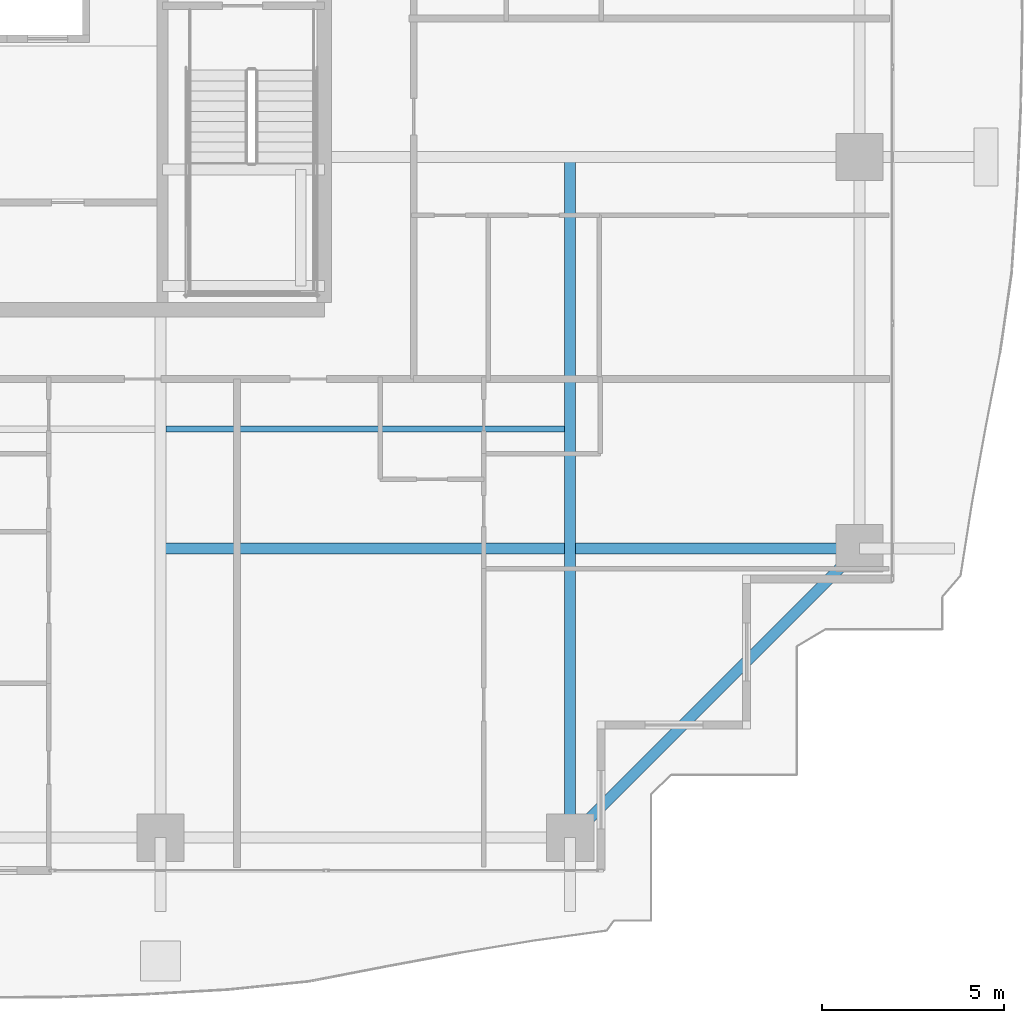
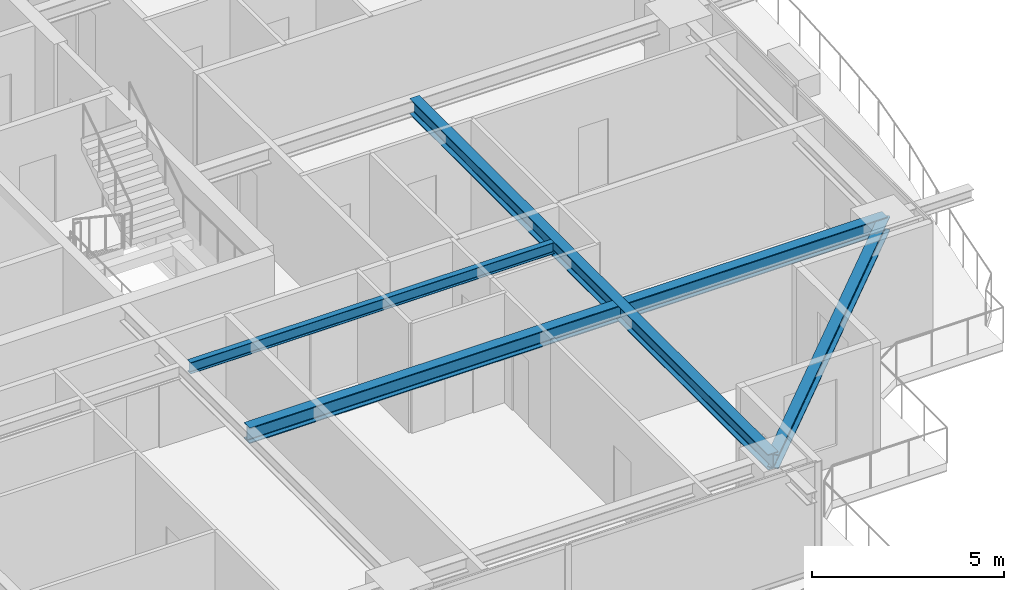
# One storey, part 12 of 36: 4 beams.
"""IFC4 building model written with IfcOpenShell, lengths in metres."""

from ifc_helpers import new_model, si_unit, direction, frame, origin, origin_2d, place, context, subcontext, project, spatial, i_section, extrude, source, transform, mapped, material, material_profile, profile_set, type_object, element, save


model = new_model("IFC4")

# Units and contexts
model_context = context("Model", 3, precision=1e-05, world=origin(), true_north=direction((0.0, 1.0)))
body_context = subcontext(model_context, "Body", "Model", "MODEL_VIEW")
ifc_project = project(units=[si_unit("LENGTHUNIT", "METRE"), si_unit("AREAUNIT", "SQUARE_METRE"), si_unit("VOLUMEUNIT", "CUBIC_METRE"), si_unit("PLANEANGLEUNIT", "RADIAN"), si_unit("MASSUNIT", "GRAM", prefix="KILO")], contexts=[model_context])

# Site, building, storey
site_placement = place(None, origin())
site = spatial("IfcSite", under=ifc_project, at=site_placement, CompositionType="ELEMENT")
building_placement = place(site_placement, origin())
building = spatial("IfcBuilding", under=site, at=building_placement, Name="Serunith Strait Residences", CompositionType="ELEMENT")
storey_placement = place(building_placement, frame((0.0, 0.0, 131.39990234375)))
storey = spatial("IfcBuildingStorey", under=building, at=storey_placement, Name="L32", CompositionType="ELEMENT", Elevation=131.39990234375)

# Beams
ifc_material = material(Name="Steel S355J2", Category="steel")
ifc_material_profile_1 = material_profile(ifc_material, i_section(OverallWidth=0.300048828125, OverallDepth=0.5, WebThickness=0.014404296875, FlangeThickness=0.028076171875, FilletRadius=0.027099609375, at=origin_2d()), Name="HEB 500")
ifc_profile_set_1 = profile_set([ifc_material_profile_1], Name="Steel S355J2")
beam_type_1 = type_object("IfcBeamType", Name="BM-HEB500", PredefinedType="BEAM", material=ifc_profile_set_1)
shared_shape_1 = source(origin(), body_context, "Body", "SweptSolid", [
    extrude(i_section(OverallWidth=0.300048828125, OverallDepth=0.5, WebThickness=0.014404296875, FlangeThickness=0.028076171875, FilletRadius=0.027099609375, at=origin_2d()), origin(), (0.0, 0.0, 1.0), 18.699951171875),
])
beam_1_placement = place(storey_placement, frame((48.14990234375, 21.0, 3.237060546875), z_axis=(0.0, -1.0, 0.0), x_axis=(1.0, 0.0, 0.0)))
element("IfcBeam", 1, at=beam_1_placement, inside=storey, type_object=beam_type_1, Name="L32 Orthogonal Corner Girder TC-S4", PredefinedType="BEAM", context=body_context, shape_type="MappedRepresentation", body=[
    mapped(shared_shape_1, transform((0.0, 0.0, 0.0), scale=1.0)),
])
shared_shape_2 = source(origin(), body_context, "Body", "SweptSolid", [
    extrude(i_section(OverallWidth=0.300048828125, OverallDepth=0.5, WebThickness=0.014404296875, FlangeThickness=0.028076171875, FilletRadius=0.027099609375, at=origin_2d()), origin(), (0.0, 0.0, 1.0), 19.2001953125),
])
beam_2_placement = place(storey_placement, frame((36.89990234375, 10.25, 3.237060546875), z_axis=(1.0, 0.0, 0.0), x_axis=(0.0, 1.0, 0.0)))
element("IfcBeam", 2, at=beam_2_placement, inside=storey, type_object=beam_type_1, Name="L32 Orthogonal Corner Girder TC-E1", PredefinedType="BEAM", context=body_context, shape_type="MappedRepresentation", body=[
    mapped(shared_shape_2, transform((0.0, 0.0, 0.0), scale=1.0)),
])
ifc_material_profile_2 = material_profile(ifc_material, i_section(OverallWidth=0.300048828125, OverallDepth=0.449951171875, WebThickness=0.013916015625, FlangeThickness=0.02587890625, FilletRadius=0.027099609375, at=origin_2d()), Name="HEB 450")
ifc_profile_set_2 = profile_set([ifc_material_profile_2], Name="Steel S355J2")
beam_type_2 = type_object("IfcBeamType", Name="BM-HEB450", PredefinedType="BEAM", material=ifc_profile_set_2)
shared_shape_3 = source(origin(), body_context, "Body", "SweptSolid", [
    extrude(i_section(OverallWidth=0.300048828125, OverallDepth=0.449951171875, WebThickness=0.013916015625, FlangeThickness=0.02587890625, FilletRadius=0.027099609375, at=origin_2d()), origin(), (0.0, 0.0, 1.0), 11.2431640625),
])
beam_3_placement = place(storey_placement, frame((48.14990234375, 2.300048828125, 3.232177734375), z_axis=(0.707117638455, 0.707095923751, 0.0), x_axis=(-0.707095923751, 0.707117638455, 0.0)))
element("IfcBeam", 3, at=beam_3_placement, inside=storey, type_object=beam_type_2, Name="L32 Perimeter Ring Beam 04", PredefinedType="BEAM", context=body_context, shape_type="MappedRepresentation", body=[
    mapped(shared_shape_3, transform((0.0, 0.0, 0.0), scale=1.0)),
])
ifc_material_profile_3 = material_profile(ifc_material, i_section(OverallWidth=0.169921875, OverallDepth=0.360107421875, WebThickness=0.008056640625, FlangeThickness=0.0126953125, FilletRadius=0.01806640625, at=origin_2d()), Name="IPE 360")
ifc_profile_set_3 = profile_set([ifc_material_profile_3], Name="Steel S355J2")
beam_type_3 = type_object("IfcBeamType", Name="BM-IPE360", PredefinedType="JOIST", material=ifc_profile_set_3)
shared_shape_4 = source(origin(), body_context, "Body", "SweptSolid", [
    extrude(i_section(OverallWidth=0.169921875, OverallDepth=0.360107421875, WebThickness=0.008056640625, FlangeThickness=0.0126953125, FilletRadius=0.01806640625, at=origin_2d()), origin(), (0.0, 0.0, 1.0), 10.949951171875),
])
beam_4_placement = place(storey_placement, frame((37.050048828125, 13.52490234375, 3.30712890625), z_axis=(1.0, 0.0, 0.0), x_axis=(0.0, 1.0, 0.0)))
element("IfcBeam", 4, at=beam_4_placement, inside=storey, type_object=beam_type_3, Name="L32 Composite Floor Joist 03", PredefinedType="JOIST", context=body_context, shape_type="MappedRepresentation", body=[
    mapped(shared_shape_4, transform((0.0, 0.0, 0.0), scale=1.0)),
])

save(model, "model.ifc")
